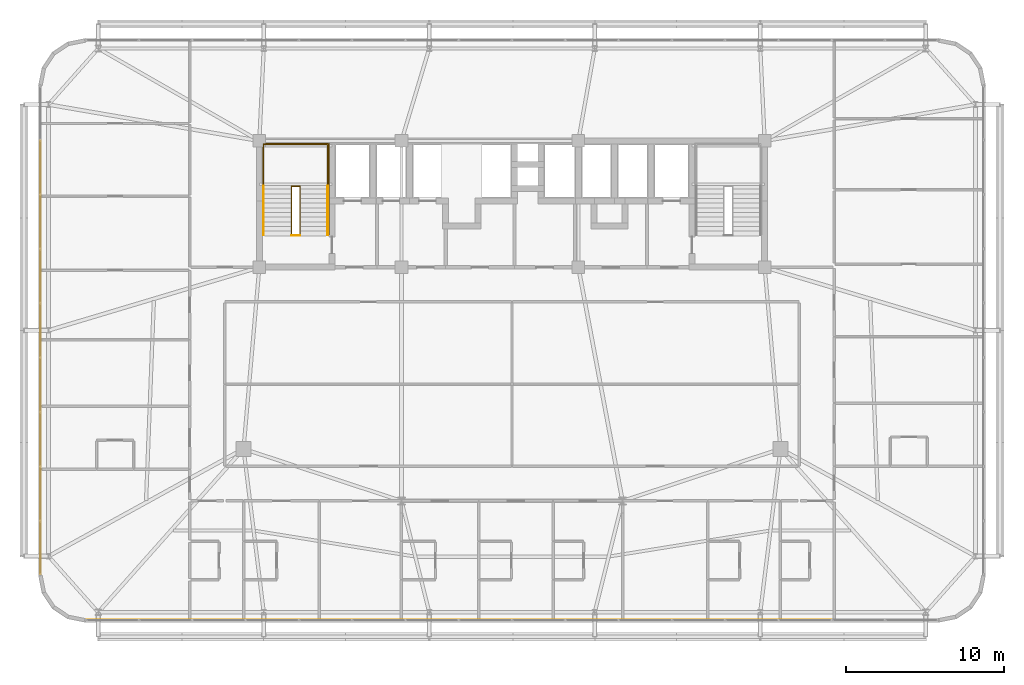
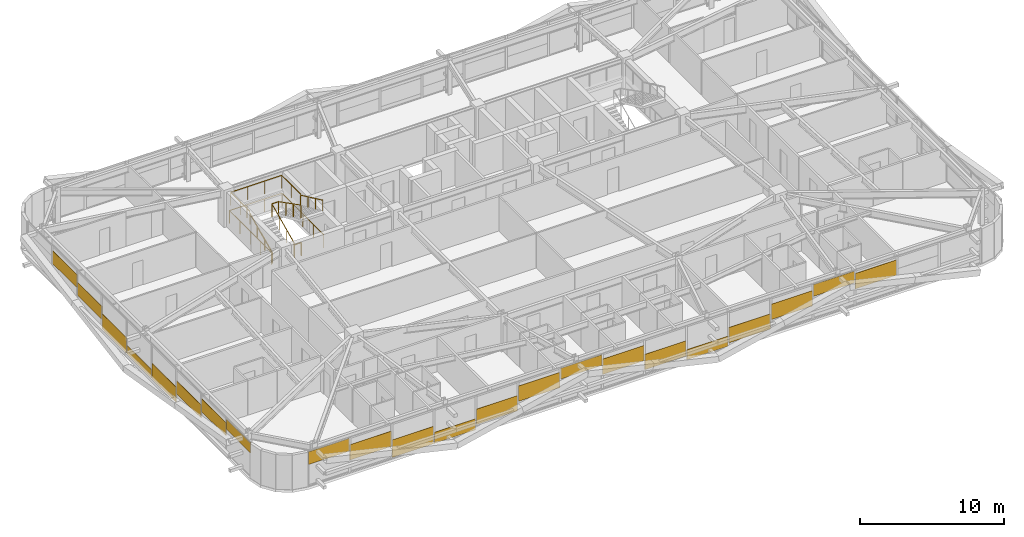
# One storey, part 57 of 59: 22 coverings, 6 railings.
"""IFC4 building model written with IfcOpenShell, lengths in metres."""

from ifc_helpers import new_model, si_unit, direction, frame, origin, origin_2d, place, context, subcontext, project, spatial, rectangle, extrude, source, transform, mapped, material, layer, layer_set, type_object, element, save


model = new_model("IFC4")

# Units and contexts
model_context = context("Model", 3, precision=1e-05, world=origin(), true_north=direction((0.0, 1.0)))
body_context = subcontext(model_context, "Body", "Model", "MODEL_VIEW")
ifc_project = project(units=[si_unit("LENGTHUNIT", "METRE"), si_unit("AREAUNIT", "SQUARE_METRE"), si_unit("VOLUMEUNIT", "CUBIC_METRE"), si_unit("PLANEANGLEUNIT", "RADIAN"), si_unit("MASSUNIT", "GRAM", prefix="KILO")], contexts=[model_context])

# Site, building, storey
site_placement = place(None, origin())
site = spatial("IfcSite", under=ifc_project, at=site_placement, CompositionType="ELEMENT")
building_placement = place(site_placement, origin())
building = spatial("IfcBuilding", under=site, at=building_placement, Name="Taldren Reach Tower", CompositionType="ELEMENT")
storey_placement = place(building_placement, frame((0.0, 0.0, 19.949951171875)))
storey = spatial("IfcBuildingStorey", under=building, at=storey_placement, Name="L05", CompositionType="ELEMENT", Elevation=19.949951171875)

# Railings
ifc_material_1 = material(Name="Steel Gr 350 (C350L0)", Category="steel")
ifc_layer_1 = layer(ifc_material_1, 0.050048828125)
ifc_layer_set_1 = layer_set([ifc_layer_1], Name="Steel Gr 350 (C350L0)")
railing_type_1 = type_object("IfcRailingType", Name="RL-STAIR-GR", PredefinedType="GUARDRAIL", material=ifc_layer_set_1)
railing_1_placement = place(storey_placement, frame((19.260009765625, 29.135009765625, 1.574951171875)))
element("IfcRailing", 1, at=railing_1_placement, inside=storey, type_object=railing_type_1, Name="Stair half-landing perimeter guard ST1-L05", PredefinedType="GUARDRAIL", context=body_context, shape_type="SweptSolid", body=[
    extrude(rectangle(XDim=0.047852, YDim=0.047852, at=origin_2d()), frame((0.0, 0.0, 1.09619140625), z_axis=(0.0, 1.0, 0.0), x_axis=(-1.0, 0.0, 0.0)), (0.0, 0.0, 1.0), 2.64501953125),
    extrude(rectangle(XDim=0.047852, YDim=0.047852, at=origin_2d()), frame((0.0, 2.64501953125, 1.09619140625), z_axis=(1.0, 0.0, 0.0), x_axis=(0.0, 1.0, 0.0)), (0.0, 0.0, 1.0), 4.080078125),
    extrude(rectangle(XDim=0.047852, YDim=0.047852, at=origin_2d()), frame((4.080078125, 2.64501953125, 1.09619140625), z_axis=(0.0, -1.0, 0.0), x_axis=(1.0, 0.0, 0.0)), (0.0, 0.0, 1.0), 2.64501953125),
    extrude(rectangle(XDim=0.041992, YDim=0.041992, at=origin_2d()), origin(), (0.0, 0.0, 1.0), 1.072021484375),
    extrude(rectangle(XDim=0.041992, YDim=0.041992, at=origin_2d()), frame((0.0, 1.322509765625, 0.0)), (0.0, 0.0, 1.0), 1.072021484375),
    extrude(rectangle(XDim=0.041992, YDim=0.041992, at=origin_2d()), frame((0.0, 2.64501953125, 0.0)), (0.0, 0.0, 1.0), 1.072021484375),
    extrude(rectangle(XDim=0.041992, YDim=0.041992, at=origin_2d()), frame((1.360107421875, 2.64501953125, 0.0)), (0.0, 0.0, 1.0), 1.072021484375),
    extrude(rectangle(XDim=0.041992, YDim=0.041992, at=origin_2d()), frame((2.719970703125, 2.64501953125, 0.0)), (0.0, 0.0, 1.0), 1.072021484375),
    extrude(rectangle(XDim=0.041992, YDim=0.041992, at=origin_2d()), frame((4.080078125, 2.64501953125, 0.0)), (0.0, 0.0, 1.0), 1.072021484375),
    extrude(rectangle(XDim=0.041992, YDim=0.041992, at=origin_2d()), frame((4.080078125, 1.322509765625, 0.0)), (0.0, 0.0, 1.0), 1.072021484375),
    extrude(rectangle(XDim=0.041992, YDim=0.041992, at=origin_2d()), frame((4.080078125, 0.0, 0.0)), (0.0, 0.0, 1.0), 1.072021484375),
])
railing_2_placement = place(storey_placement, frame((21.030029296875, 26.050048828125, 0.13134765625)))
element("IfcRailing", 2, at=railing_2_placement, inside=storey, type_object=railing_type_1, Name="Stairwell inner guard ST1-L05", PredefinedType="GUARDRAIL", context=body_context, shape_type="SweptSolid", body=[
    extrude(rectangle(XDim=0.047852, YDim=0.047852, at=origin_2d()), frame((0.0, 0.0, 1.09619140625), z_axis=(0.0, 0.905737652094, 0.423838773095), x_axis=(-1.0, 0.0, 0.0)), (0.0, 0.0, 1.0), 3.406005859375),
    extrude(rectangle(XDim=0.047852, YDim=0.047852, at=origin_2d()), frame((0.0, 3.0849609375, 2.53955078125), z_axis=(1.0, 0.0, 0.0), x_axis=(0.0, 1.0, 0.0)), (0.0, 0.0, 1.0), 0.5400390625),
    extrude(rectangle(XDim=0.047852, YDim=0.047852, at=origin_2d()), frame((0.5400390625, 3.0849609375, 2.53955078125), z_axis=(0.0, -0.890617412389, 0.454753366946), x_axis=(1.0, 0.0, 0.0)), (0.0, 0.0, 1.0), 3.4638671875),
    extrude(rectangle(XDim=0.041992, YDim=0.041992, at=origin_2d()), origin(), (0.0, 0.0, 1.0), 1.072021484375),
    extrude(rectangle(XDim=0.041992, YDim=0.041992, at=origin_2d()), frame((0.0, 1.0283203125, 0.481201171875)), (0.0, 0.0, 1.0), 1.072021484375),
    extrude(rectangle(XDim=0.041992, YDim=0.041992, at=origin_2d()), frame((0.0, 2.056640625, 0.96240234375)), (0.0, 0.0, 1.0), 1.072021484375),
    extrude(rectangle(XDim=0.041992, YDim=0.041992, at=origin_2d()), frame((0.0, 3.0849609375, 1.443603515625)), (0.0, 0.0, 1.0), 1.072021484375),
    extrude(rectangle(XDim=0.041992, YDim=0.041992, at=origin_2d()), frame((0.5400390625, 3.0849609375, 1.443603515625)), (0.0, 0.0, 1.0), 1.072021484375),
    extrude(rectangle(XDim=0.041992, YDim=0.041992, at=origin_2d()), frame((0.5400390625, 2.056640625, 1.96875)), (0.0, 0.0, 1.0), 1.072021484375),
    extrude(rectangle(XDim=0.041992, YDim=0.041992, at=origin_2d()), frame((0.5400390625, 1.0283203125, 2.49365234375)), (0.0, 0.0, 1.0), 1.072021484375),
    extrude(rectangle(XDim=0.041992, YDim=0.041992, at=origin_2d()), frame((0.5400390625, 0.0, 3.018798828125)), (0.0, 0.0, 1.0), 1.072021484375),
])
railing_3_placement = place(storey_placement, frame((21.030029296875, 26.010009765625, 0.0)))
element("IfcRailing", 3, at=railing_3_placement, inside=storey, type_object=railing_type_1, Name="Stairwell landing slot guard ST1-L05", PredefinedType="GUARDRAIL", context=body_context, shape_type="SweptSolid", body=[
    extrude(rectangle(XDim=0.047852, YDim=0.047852, at=origin_2d()), frame((0.0, 0.0, 1.09619140625), z_axis=(1.0, 0.0, 0.0), x_axis=(0.0, 1.0, 0.0)), (0.0, 0.0, 1.0), 0.5400390625),
    extrude(rectangle(XDim=0.041992, YDim=0.041992, at=origin_2d()), origin(), (0.0, 0.0, 1.0), 1.072021484375),
    extrude(rectangle(XDim=0.041992, YDim=0.041992, at=origin_2d()), frame((0.5400390625, 0.0, 0.0)), (0.0, 0.0, 1.0), 1.072021484375),
])
railing_4_placement = place(storey_placement, frame((19.18994140625, 26.050048828125, 0.0)))
element("IfcRailing", 4, at=railing_4_placement, inside=storey, type_object=railing_type_1, Name="Stairwell floor opening guard ST1-L05", PredefinedType="GUARDRAIL", context=body_context, shape_type="SweptSolid", body=[
    extrude(rectangle(XDim=0.047852, YDim=0.047852, at=origin_2d()), frame((0.0, 0.0, 1.09619140625), z_axis=(0.0, 1.0, 0.0), x_axis=(-1.0, 0.0, 0.0)), (0.0, 0.0, 1.0), 5.800048828125),
    extrude(rectangle(XDim=0.047852, YDim=0.047852, at=origin_2d()), frame((0.0, 5.800048828125, 1.09619140625), z_axis=(1.0, 0.0, 0.0), x_axis=(0.0, 1.0, 0.0)), (0.0, 0.0, 1.0), 4.219970703125),
    extrude(rectangle(XDim=0.047852, YDim=0.047852, at=origin_2d()), frame((4.219970703125, 5.800048828125, 1.09619140625), z_axis=(0.0, -1.0, 0.0), x_axis=(1.0, 0.0, 0.0)), (0.0, 0.0, 1.0), 5.800048828125),
    extrude(rectangle(XDim=0.041992, YDim=0.041992, at=origin_2d()), origin(), (0.0, 0.0, 1.0), 1.072021484375),
    extrude(rectangle(XDim=0.041992, YDim=0.041992, at=origin_2d()), frame((0.0, 1.449951171875, 0.0)), (0.0, 0.0, 1.0), 1.072021484375),
    extrude(rectangle(XDim=0.041992, YDim=0.041992, at=origin_2d()), frame((0.0, 2.89990234375, 0.0)), (0.0, 0.0, 1.0), 1.072021484375),
    extrude(rectangle(XDim=0.041992, YDim=0.041992, at=origin_2d()), frame((0.0, 4.35009765625, 0.0)), (0.0, 0.0, 1.0), 1.072021484375),
    extrude(rectangle(XDim=0.041992, YDim=0.041992, at=origin_2d()), frame((0.0, 5.800048828125, 0.0)), (0.0, 0.0, 1.0), 1.072021484375),
    extrude(rectangle(XDim=0.041992, YDim=0.041992, at=origin_2d()), frame((1.40673828125, 5.800048828125, 0.0)), (0.0, 0.0, 1.0), 1.072021484375),
    extrude(rectangle(XDim=0.041992, YDim=0.041992, at=origin_2d()), frame((2.813232421875, 5.800048828125, 0.0)), (0.0, 0.0, 1.0), 1.072021484375),
    extrude(rectangle(XDim=0.041992, YDim=0.041992, at=origin_2d()), frame((4.219970703125, 5.800048828125, 0.0)), (0.0, 0.0, 1.0), 1.072021484375),
    extrude(rectangle(XDim=0.041992, YDim=0.041992, at=origin_2d()), frame((4.219970703125, 4.35009765625, 0.0)), (0.0, 0.0, 1.0), 1.072021484375),
    extrude(rectangle(XDim=0.041992, YDim=0.041992, at=origin_2d()), frame((4.219970703125, 2.89990234375, 0.0)), (0.0, 0.0, 1.0), 1.072021484375),
    extrude(rectangle(XDim=0.041992, YDim=0.041992, at=origin_2d()), frame((4.219970703125, 1.449951171875, 0.0)), (0.0, 0.0, 1.0), 1.072021484375),
    extrude(rectangle(XDim=0.041992, YDim=0.041992, at=origin_2d()), frame((4.219970703125, 0.0, 0.0)), (0.0, 0.0, 1.0), 1.072021484375),
])
ifc_material_2 = material(Name="Stainless Steel Gr 316", Category="steel")
ifc_layer_2 = layer(ifc_material_2, 0.048095703125)
ifc_layer_set_2 = layer_set([ifc_layer_2], Name="Stainless Steel Gr 316")
railing_type_2 = type_object("IfcRailingType", Name="RL-STAIR-HR", PredefinedType="HANDRAIL", material=ifc_layer_set_2)
railing_5_placement = place(storey_placement, frame((19.27001953125, 26.050048828125, 0.13134765625)))
element("IfcRailing", 5, at=railing_5_placement, inside=storey, type_object=railing_type_2, Name="Stair flight handrail ST1-L05-1", PredefinedType="HANDRAIL", context=body_context, shape_type="SweptSolid", body=[
    extrude(rectangle(XDim=0.047852, YDim=0.047852, at=origin_2d()), frame((0.0, 0.0, 0.89599609375), z_axis=(0.0, 0.905737652094, 0.423838773095), x_axis=(-1.0, 0.0, 0.0)), (0.0, 0.0, 1.0), 3.406005859375),
    extrude(rectangle(XDim=0.041992, YDim=0.041992, at=origin_2d()), origin(), (0.0, 0.0, 1.0), 0.871826171875),
    extrude(rectangle(XDim=0.041992, YDim=0.041992, at=origin_2d()), frame((0.0, 1.0283203125, 0.481201171875)), (0.0, 0.0, 1.0), 0.871826171875),
    extrude(rectangle(XDim=0.041992, YDim=0.041992, at=origin_2d()), frame((0.0, 2.056640625, 0.96240234375)), (0.0, 0.0, 1.0), 0.871826171875),
    extrude(rectangle(XDim=0.041992, YDim=0.041992, at=origin_2d()), frame((0.0, 3.0849609375, 1.443603515625)), (0.0, 0.0, 1.0), 0.871826171875),
])
railing_6_placement = place(storey_placement, frame((23.330078125, 29.135009765625, 1.706298828125)))
element("IfcRailing", 6, at=railing_6_placement, inside=storey, type_object=railing_type_2, Name="Stair flight handrail ST1-L05-2", PredefinedType="HANDRAIL", context=body_context, shape_type="SweptSolid", body=[
    extrude(rectangle(XDim=0.047852, YDim=0.047852, at=origin_2d()), frame((0.0, 0.0, 0.89599609375), z_axis=(0.0, -0.905710134349, 0.423897573167), x_axis=(1.0, 0.0, 0.0)), (0.0, 0.0, 1.0), 3.406005859375),
    extrude(rectangle(XDim=0.041992, YDim=0.041992, at=origin_2d()), origin(), (0.0, 0.0, 1.0), 0.871826171875),
    extrude(rectangle(XDim=0.041992, YDim=0.041992, at=origin_2d()), frame((0.0, -1.0283203125, 0.481201171875)), (0.0, 0.0, 1.0), 0.871826171875),
    extrude(rectangle(XDim=0.041992, YDim=0.041992, at=origin_2d()), frame((0.0, -2.056640625, 0.962646484375)), (0.0, 0.0, 1.0), 0.871826171875),
    extrude(rectangle(XDim=0.041992, YDim=0.041992, at=origin_2d()), frame((0.0, -3.0849609375, 1.44384765625)), (0.0, 0.0, 1.0), 0.871826171875),
])

# Coverings
ifc_material_3 = material(Name="Pale Champagne Fluoropolymer Aluminium Spandrel Cladding", Category="aluminium")
ifc_layer_3 = layer(ifc_material_3, 0.0439453125)
ifc_layer_set_3 = layer_set([ifc_layer_3], Name="Pale Champagne Fluoropolymer Aluminium Spandrel Cladding")
covering_type = type_object("IfcCoveringType", Name="CV-CLAD-044", PredefinedType="CLADDING", material=ifc_layer_set_3)
shared_shape_1 = source(origin(), body_context, "Body", "SweptSolid", [
    extrude(rectangle(XDim=3.277587890625, YDim=0.0439453125, at=origin_2d()), origin(), (0.0, 0.0, 1.0), 1.081298828125),
])
covering_1_placement = place(storey_placement, frame((9.703857421875, 1.639892578125, 1.7939453125), z_axis=(0.0, 0.0, 1.0), x_axis=(1.0, 0.0, 0.0)))
element("IfcCovering", 7, at=covering_1_placement, inside=storey, type_object=covering_type, Name="Diagrid closure cladding strip CW-2 panel 1.1 1", PredefinedType="CLADDING", context=body_context, shape_type="MappedRepresentation", body=[
    mapped(shared_shape_1, transform((0.0, 0.0, 0.0), scale=1.0)),
])
shared_shape_2 = source(origin(), body_context, "Body", "SweptSolid", [
    extrude(rectangle(XDim=3.31005859375, YDim=0.0439453125, at=origin_2d()), origin(), (0.0, 0.0, 1.0), 1.301025390625),
])
for number, where, z_axis, x_axis, name in (
    (8, (13.0625, 1.639892578125, 1.01123046875), (0.0, 0.0, 1.0), (1.0, 0.0, 0.0), "Diagrid closure cladding strip CW-2 panel 2.1 1"),
    (9, (23.1875, 1.639892578125, 0.4755859375), (0.0, 0.0, 1.0), (1.0, 0.0, 0.0), "Diagrid closure cladding strip CW-2 panel 5.1 1"),
    (10, (26.5625, 1.639892578125, 1.25830078125), (0.0, 0.0, 1.0), (1.0, 0.0, 0.0), "Diagrid closure cladding strip CW-2 panel 6.1 1"),
    (11, (33.3125, 1.639892578125, 1.17578125), (0.0, 0.0, 1.0), (1.0, 0.0, 0.0), "Diagrid closure cladding strip CW-2 panel 8.1 1"),
    (12, (36.6875, 1.639892578125, 0.39306640625), (0.0, 0.0, 1.0), (1.0, 0.0, 0.0), "Diagrid closure cladding strip CW-2 panel 9.1 1"),
    (13, (43.4375, 1.639892578125, 0.31103515625), (0.0, 0.0, 1.0), (1.0, 0.0, 0.0), "Diagrid closure cladding strip CW-2 panel 11.1 1"),
    (14, (46.8125, 1.639892578125, 1.09326171875), (0.0, 0.0, 1.0), (1.0, 0.0, 0.0), "Diagrid closure cladding strip CW-2 panel 12.1 1"),
    (15, (53.5625, 1.639892578125, 1.34033203125), (0.0, 0.0, 1.0), (1.0, 0.0, 0.0), "Diagrid closure cladding strip CW-2 panel 14.1 1"),
):
    element("IfcCovering", number, at=place(storey_placement, frame(where, z_axis=z_axis, x_axis=x_axis)), inside=storey, type_object=covering_type, Name=name, PredefinedType="CLADDING", context=body_context, shape_type="MappedRepresentation", body=[
        mapped(shared_shape_2, transform((0.0, 0.0, 0.0), scale=1.0)),
    ])
shared_shape_3 = source(origin(), body_context, "Body", "SweptSolid", [
    extrude(rectangle(XDim=3.31005859375, YDim=0.0439453125, at=origin_2d()), origin(), (0.0, 0.0, 1.0), 1.474609375),
])
covering_2_placement = place(storey_placement, frame((16.4375, 1.639892578125, 0.054931640625), z_axis=(0.0, 0.0, 1.0), x_axis=(1.0, 0.0, 0.0)))
element("IfcCovering", 16, at=covering_2_placement, inside=storey, type_object=covering_type, Name="Diagrid closure cladding strip CW-2 panel 3.1 1", PredefinedType="CLADDING", context=body_context, shape_type="MappedRepresentation", body=[
    mapped(shared_shape_3, transform((0.0, 0.0, 0.0), scale=1.0)),
])
shared_shape_4 = source(origin(), body_context, "Body", "SweptSolid", [
    extrude(rectangle(XDim=3.31005859375, YDim=0.0439453125, at=origin_2d()), origin(), (0.0, 0.0, 1.0), 0.93896484375),
])
covering_3_placement = place(storey_placement, frame((19.8125, 1.639892578125, 0.05517578125), z_axis=(0.0, 0.0, 1.0), x_axis=(1.0, 0.0, 0.0)))
element("IfcCovering", 17, at=covering_3_placement, inside=storey, type_object=covering_type, Name="Diagrid closure cladding strip CW-2 panel 4.1 1", PredefinedType="CLADDING", context=body_context, shape_type="MappedRepresentation", body=[
    mapped(shared_shape_4, transform((0.0, 0.0, 0.0), scale=1.0)),
])
shared_shape_5 = source(origin(), body_context, "Body", "SweptSolid", [
    extrude(rectangle(XDim=3.31005859375, YDim=0.0439453125, at=origin_2d()), origin(), (0.0, 0.0, 1.0), 0.916748046875),
])
covering_4_placement = place(storey_placement, frame((29.9375, 1.639892578125, 1.95849609375), z_axis=(0.0, 0.0, 1.0), x_axis=(1.0, 0.0, 0.0)))
element("IfcCovering", 18, at=covering_4_placement, inside=storey, type_object=covering_type, Name="Diagrid closure cladding strip CW-2 panel 7.1 1", PredefinedType="CLADDING", context=body_context, shape_type="MappedRepresentation", body=[
    mapped(shared_shape_5, transform((0.0, 0.0, 0.0), scale=1.0)),
])
shared_shape_6 = source(origin(), body_context, "Body", "SweptSolid", [
    extrude(rectangle(XDim=3.31005859375, YDim=0.0439453125, at=origin_2d()), origin(), (0.0, 0.0, 1.0), 0.856689453125),
])
covering_5_placement = place(storey_placement, frame((40.0625, 1.639892578125, 0.05517578125), z_axis=(0.0, 0.0, 1.0), x_axis=(1.0, 0.0, 0.0)))
element("IfcCovering", 19, at=covering_5_placement, inside=storey, type_object=covering_type, Name="Diagrid closure cladding strip CW-2 panel 10.1 1", PredefinedType="CLADDING", context=body_context, shape_type="MappedRepresentation", body=[
    mapped(shared_shape_6, transform((0.0, 0.0, 0.0), scale=1.0)),
])
shared_shape_7 = source(origin(), body_context, "Body", "SweptSolid", [
    extrude(rectangle(XDim=3.31005859375, YDim=0.0439453125, at=origin_2d()), origin(), (0.0, 0.0, 1.0), 0.9990234375),
])
covering_6_placement = place(storey_placement, frame((50.1875, 1.639892578125, 1.8759765625), z_axis=(0.0, 0.0, 1.0), x_axis=(1.0, 0.0, 0.0)))
element("IfcCovering", 20, at=covering_6_placement, inside=storey, type_object=covering_type, Name="Diagrid closure cladding strip CW-2 panel 13.1 1", PredefinedType="CLADDING", context=body_context, shape_type="MappedRepresentation", body=[
    mapped(shared_shape_7, transform((0.0, 0.0, 0.0), scale=1.0)),
])
shared_shape_8 = source(origin(), body_context, "Body", "SweptSolid", [
    extrude(rectangle(XDim=3.346923828125, YDim=0.0439453125, at=origin_2d()), origin(), (0.0, 0.0, 1.0), 0.864501953125),
])
covering_7_placement = place(storey_placement, frame((5.139892578125, 6.238525390625, 2.0107421875), z_axis=(0.0, 0.0, 1.0), x_axis=(0.0, -1.0, 0.0)))
element("IfcCovering", 21, at=covering_7_placement, inside=storey, type_object=covering_type, Name="Diagrid closure cladding strip CW-2 panel 9.1 1", PredefinedType="CLADDING", context=body_context, shape_type="MappedRepresentation", body=[
    mapped(shared_shape_8, transform((0.0, 0.0, 0.0), scale=1.0)),
])
shared_shape_9 = source(origin(), body_context, "Body", "SweptSolid", [
    extrude(rectangle(XDim=3.37939453125, YDim=0.0439453125, at=origin_2d()), origin(), (0.0, 0.0, 1.0), 1.1015625),
])
for number, where, z_axis, x_axis, name in (
    (22, (5.139892578125, 30.333251953125, 1.42529296875), (0.0, 0.0, 1.0), (0.0, -1.0, 0.0), "Diagrid closure cladding strip CW-2 panel 2.1 1"),
    (23, (5.139892578125, 26.888916015625, 0.83984375), (0.0, 0.0, 1.0), (0.0, -1.0, 0.0), "Diagrid closure cladding strip CW-2 panel 3.1 1"),
    (24, (5.139892578125, 13.111083984375, 0.83984375), (0.0, 0.0, 1.0), (0.0, -1.0, 0.0), "Diagrid closure cladding strip CW-2 panel 7.1 1"),
    (25, (5.139892578125, 9.666748046875, 1.42529296875), (0.0, 0.0, 1.0), (0.0, -1.0, 0.0), "Diagrid closure cladding strip CW-2 panel 8.1 1"),
):
    element("IfcCovering", number, at=place(storey_placement, frame(where, z_axis=z_axis, x_axis=x_axis)), inside=storey, type_object=covering_type, Name=name, PredefinedType="CLADDING", context=body_context, shape_type="MappedRepresentation", body=[
        mapped(shared_shape_9, transform((0.0, 0.0, 0.0), scale=1.0)),
    ])
shared_shape_10 = source(origin(), body_context, "Body", "SweptSolid", [
    extrude(rectangle(XDim=3.37939453125, YDim=0.0439453125, at=origin_2d()), origin(), (0.0, 0.0, 1.0), 1.301025390625),
])
for number, where, z_axis, x_axis, name in (
    (26, (5.139892578125, 23.4443359375, 0.05517578125), (0.0, 0.0, 1.0), (0.0, -1.0, 0.0), "Diagrid closure cladding strip CW-2 panel 4.1 1"),
    (27, (5.139892578125, 16.5556640625, 0.05517578125), (0.0, 0.0, 1.0), (0.0, -1.0, 0.0), "Diagrid closure cladding strip CW-2 panel 6.1 1"),
):
    element("IfcCovering", number, at=place(storey_placement, frame(where, z_axis=z_axis, x_axis=x_axis)), inside=storey, type_object=covering_type, Name=name, PredefinedType="CLADDING", context=body_context, shape_type="MappedRepresentation", body=[
        mapped(shared_shape_10, transform((0.0, 0.0, 0.0), scale=1.0)),
    ])
shared_shape_11 = source(origin(), body_context, "Body", "SweptSolid", [
    extrude(rectangle(XDim=3.37939453125, YDim=0.0439453125, at=origin_2d()), origin(), (0.0, 0.0, 1.0), 0.7158203125),
])
covering_8_placement = place(storey_placement, frame((5.139892578125, 20.0, 0.054931640625), z_axis=(0.0, 0.0, 1.0), x_axis=(0.0, -1.0, 0.0)))
element("IfcCovering", 28, at=covering_8_placement, inside=storey, type_object=covering_type, Name="Diagrid closure cladding strip CW-2 panel 5.1 1", PredefinedType="CLADDING", context=body_context, shape_type="MappedRepresentation", body=[
    mapped(shared_shape_11, transform((0.0, 0.0, 0.0), scale=1.0)),
])

save(model, "model.ifc")
